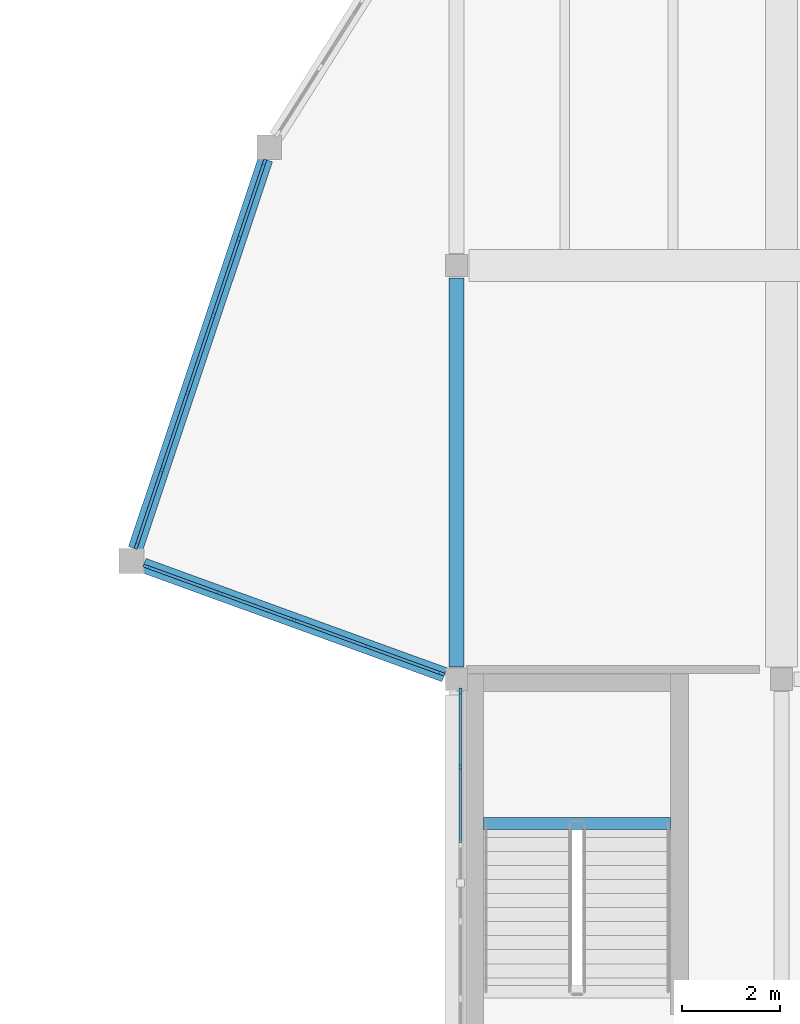
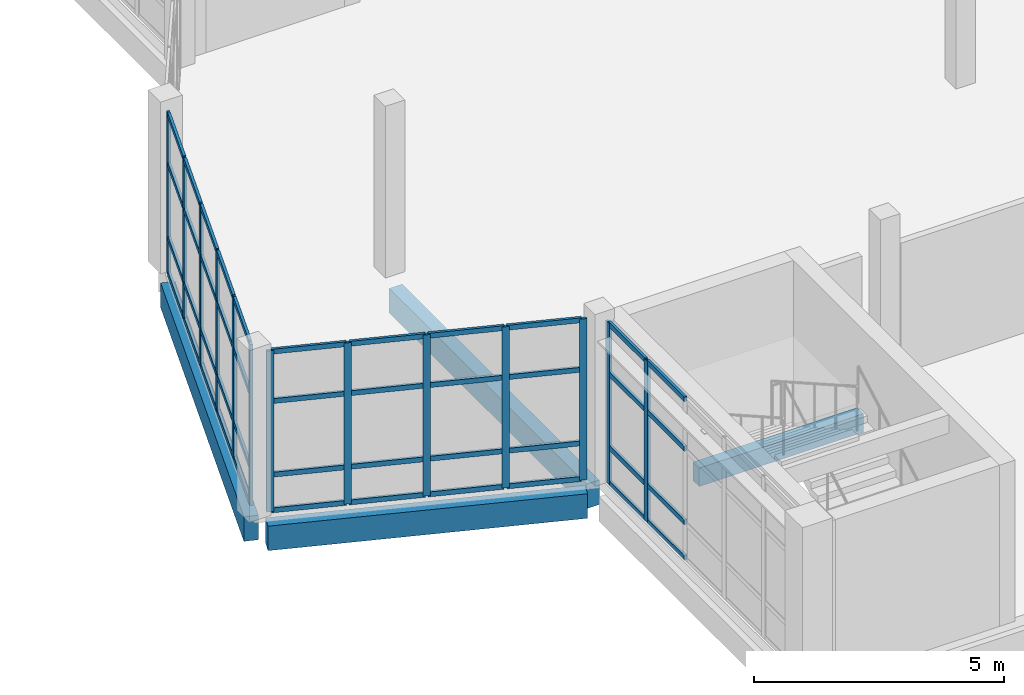
# One storey, part 24 of 74: 57 members, 4 beams, 3 elements without a shape of their own.
"""IFC4 building model written with IfcOpenShell, lengths in metres."""

from ifc_helpers import new_model, si_unit, direction, frame, origin, origin_2d, place, context, subcontext, project, spatial, rectangle, extrude, material, material_profile, profile_set, type_object, element, aggregate, save


model = new_model("IFC4")

# Units and contexts
model_context = context("Model", 3, precision=1e-05, world=origin(), true_north=direction((0.0, 1.0)))
body_context = subcontext(model_context, "Body", "Model", "MODEL_VIEW")
ifc_project = project(units=[si_unit("LENGTHUNIT", "METRE"), si_unit("AREAUNIT", "SQUARE_METRE"), si_unit("VOLUMEUNIT", "CUBIC_METRE"), si_unit("PLANEANGLEUNIT", "RADIAN"), si_unit("MASSUNIT", "GRAM", prefix="KILO")], contexts=[model_context])

# Site, building, storey
site_placement = place(None, origin())
site = spatial("IfcSite", under=ifc_project, at=site_placement, CompositionType="ELEMENT")
building_placement = place(site_placement, origin())
building = spatial("IfcBuilding", under=site, at=building_placement, Name="Qaldarim Faculty of Natural and Applied Sciences", CompositionType="ELEMENT")
storey_placement = place(building_placement, frame((0.0, 0.0, 14.39990234375)))
storey = spatial("IfcBuildingStorey", under=building, at=storey_placement, Name="L03", CompositionType="ELEMENT", Elevation=14.39990234375)

# Beam
ifc_material_1 = material(Name="Concrete C40/50", Category="concrete")
ifc_material_profile_1 = material_profile(ifc_material_1, rectangle(XDim=0.25, YDim=0.449951171875, at=origin_2d()), Name="RC-LN250x450")
ifc_profile_set_1 = profile_set([ifc_material_profile_1], Name="Concrete C40/50")
beam_type_1 = type_object("IfcBeamType", Name="LandingSupportBeam-RC250x450", PredefinedType="BEAM", material=ifc_profile_set_1)
beam_1_placement = place(storey_placement, frame((152.35009765625, 64.27001953125, 1.6650390625), z_axis=(1.0, 0.0, 0.0), x_axis=(0.0, 1.0, 0.0)))
element("IfcBeam", 1, at=beam_1_placement, inside=storey, type_object=beam_type_1, Name="Stair landing support beam ST-C1 L03", PredefinedType="BEAM", context=body_context, shape_type="SweptSolid", body=[
    extrude(rectangle(XDim=0.25, YDim=0.449951171875, at=origin_2d()), origin(), (0.0, 0.0, 1.0), 3.7998046875),
])

# Curtain wall, members
ifc_material_2 = material(Name="Anodised aluminium AW-6063", Category="aluminium")
curtain_wall_type = type_object("IfcCurtainWallType", Name="CurtainWallSystem-M1600", PredefinedType="USERDEFINED", material=ifc_material_2)
curtain_wall_1_placement = place(storey_placement, origin())
curtain_wall_1 = element("IfcCurtainWall", 2, at=curtain_wall_1_placement, inside=storey, type_object=curtain_wall_type, Name="Curtain wall CW-L03-W-X24Y08", ObjectType="UNITISED FACADE", PredefinedType="USERDEFINED")
ifc_material_profile_2 = material_profile(ifc_material_2, rectangle(XDim=0.06005859375, YDim=0.14990234375, at=origin_2d()), Name="ALU-M60x150")
ifc_profile_set_2 = profile_set([ifc_material_profile_2], Name="Anodised aluminium AW-6063")
member_type_1 = type_object("IfcMemberType", Name="Mullion-ALU60x150", PredefinedType="MULLION", material=ifc_profile_set_2)
member_1_placement = place(storey_placement, frame((151.8798828125, 66.949951171875, 0.0), z_axis=(0.0, 0.0, 1.0), x_axis=(1.0, 0.0, 0.0)))
member_1 = element("IfcMember", 3, at=member_1_placement, type_object=member_type_1, Name="Mullion 1 of CW-L03-W-X24Y08", PredefinedType="MULLION", context=body_context, shape_type="SweptSolid", body=[
    extrude(rectangle(XDim=0.06005859375, YDim=0.14990234375, at=origin_2d()), origin(), (0.0, 0.0, 1.0), 3.940185546875),
])
member_2_placement = place(storey_placement, frame((151.8798828125, 65.4130859375, 0.0), z_axis=(0.0, 0.0, 1.0), x_axis=(1.0, 0.0, 0.0)))
member_2 = element("IfcMember", 4, at=member_2_placement, type_object=member_type_1, Name="Mullion 2 of CW-L03-W-X24Y08", PredefinedType="MULLION", context=body_context, shape_type="SweptSolid", body=[
    extrude(rectangle(XDim=0.06005859375, YDim=0.14990234375, at=origin_2d()), origin(), (0.0, 0.0, 1.0), 3.940185546875),
])

curtain_wall_2_placement = place(storey_placement, origin())
curtain_wall_2 = element("IfcCurtainWall", 5, at=curtain_wall_2_placement, inside=storey, type_object=curtain_wall_type, Name="Curtain wall CW-PROW-L03-2", ObjectType="UNITISED FACADE", PredefinedType="USERDEFINED")
member_3_placement = place(storey_placement, frame((147.8955078125, 77.6865234375, 0.0), z_axis=(0.0, 0.0, 1.0), x_axis=(0.948683015593, -0.316228613389, 0.0)))
member_3 = element("IfcMember", 6, at=member_3_placement, type_object=member_type_1, Name="Mullion 1 of CW-PROW-L03-2", PredefinedType="MULLION", context=body_context, shape_type="SweptSolid", body=[
    extrude(rectangle(XDim=0.06005859375, YDim=0.14990234375, at=origin_2d()), origin(), (0.0, 0.0, 1.0), 3.940185546875),
])
member_4_placement = place(storey_placement, frame((147.383056640625, 76.14892578125, 0.0), z_axis=(0.0, 0.0, 1.0), x_axis=(0.948683015593, -0.316228613389, 0.0)))
member_4 = element("IfcMember", 7, at=member_4_placement, type_object=member_type_1, Name="Mullion 2 of CW-PROW-L03-2", PredefinedType="MULLION", context=body_context, shape_type="SweptSolid", body=[
    extrude(rectangle(XDim=0.06005859375, YDim=0.14990234375, at=origin_2d()), origin(), (0.0, 0.0, 1.0), 3.940185546875),
])
member_5_placement = place(storey_placement, frame((146.861083984375, 74.5830078125, 0.0), z_axis=(0.0, 0.0, 1.0), x_axis=(0.948683015593, -0.316228613389, 0.0)))
member_5 = element("IfcMember", 8, at=member_5_placement, type_object=member_type_1, Name="Mullion 3 of CW-PROW-L03-2", PredefinedType="MULLION", context=body_context, shape_type="SweptSolid", body=[
    extrude(rectangle(XDim=0.06005859375, YDim=0.14990234375, at=origin_2d()), origin(), (0.0, 0.0, 1.0), 3.940185546875),
])
member_6_placement = place(storey_placement, frame((146.339111328125, 73.01708984375, 0.0), z_axis=(0.0, 0.0, 1.0), x_axis=(0.948683015593, -0.316228613389, 0.0)))
member_6 = element("IfcMember", 9, at=member_6_placement, type_object=member_type_1, Name="Mullion 4 of CW-PROW-L03-2", PredefinedType="MULLION", context=body_context, shape_type="SweptSolid", body=[
    extrude(rectangle(XDim=0.06005859375, YDim=0.14990234375, at=origin_2d()), origin(), (0.0, 0.0, 1.0), 3.940185546875),
])
member_7_placement = place(storey_placement, frame((145.81689453125, 71.450927734375, 0.0), z_axis=(0.0, 0.0, 1.0), x_axis=(0.948683015593, -0.316228613389, 0.0)))
member_7 = element("IfcMember", 10, at=member_7_placement, type_object=member_type_1, Name="Mullion 5 of CW-PROW-L03-2", PredefinedType="MULLION", context=body_context, shape_type="SweptSolid", body=[
    extrude(rectangle(XDim=0.06005859375, YDim=0.14990234375, at=origin_2d()), origin(), (0.0, 0.0, 1.0), 3.940185546875),
])
member_8_placement = place(storey_placement, frame((145.304443359375, 69.91357421875, 0.0), z_axis=(0.0, 0.0, 1.0), x_axis=(0.948683015593, -0.316228613389, 0.0)))
member_8 = element("IfcMember", 11, at=member_8_placement, type_object=member_type_1, Name="Mullion 6 of CW-PROW-L03-2", PredefinedType="MULLION", context=body_context, shape_type="SweptSolid", body=[
    extrude(rectangle(XDim=0.06005859375, YDim=0.14990234375, at=origin_2d()), origin(), (0.0, 0.0, 1.0), 3.940185546875),
])

curtain_wall_3_placement = place(storey_placement, origin())
curtain_wall_3 = element("IfcCurtainWall", 12, at=curtain_wall_3_placement, inside=storey, type_object=curtain_wall_type, Name="Curtain wall CW-PROW-L03-3", ObjectType="UNITISED FACADE", PredefinedType="USERDEFINED")
member_9_placement = place(storey_placement, frame((145.50830078125, 69.48486328125, 0.0), z_axis=(0.0, 0.0, 1.0), x_axis=(0.340871837244, 0.94010977581, 0.0)))
member_9 = element("IfcMember", 13, at=member_9_placement, type_object=member_type_1, Name="Mullion 1 of CW-PROW-L03-3", PredefinedType="MULLION", context=body_context, shape_type="SweptSolid", body=[
    extrude(rectangle(XDim=0.06005859375, YDim=0.14990234375, at=origin_2d()), origin(), (0.0, 0.0, 1.0), 3.940185546875),
])
member_10_placement = place(storey_placement, frame((146.989990234375, 68.947509765625, 0.0), z_axis=(0.0, 0.0, 1.0), x_axis=(0.340871837244, 0.94010977581, 0.0)))
member_10 = element("IfcMember", 14, at=member_10_placement, type_object=member_type_1, Name="Mullion 2 of CW-PROW-L03-3", PredefinedType="MULLION", context=body_context, shape_type="SweptSolid", body=[
    extrude(rectangle(XDim=0.06005859375, YDim=0.14990234375, at=origin_2d()), origin(), (0.0, 0.0, 1.0), 3.940185546875),
])
member_11_placement = place(storey_placement, frame((148.5, 68.39990234375, 0.0), z_axis=(0.0, 0.0, 1.0), x_axis=(0.340871837244, 0.94010977581, 0.0)))
member_11 = element("IfcMember", 15, at=member_11_placement, type_object=member_type_1, Name="Mullion 3 of CW-PROW-L03-3", PredefinedType="MULLION", context=body_context, shape_type="SweptSolid", body=[
    extrude(rectangle(XDim=0.06005859375, YDim=0.14990234375, at=origin_2d()), origin(), (0.0, 0.0, 1.0), 3.940185546875),
])
member_12_placement = place(storey_placement, frame((150.010009765625, 67.8525390625, 0.0), z_axis=(0.0, 0.0, 1.0), x_axis=(0.340871837244, 0.94010977581, 0.0)))
member_12 = element("IfcMember", 16, at=member_12_placement, type_object=member_type_1, Name="Mullion 4 of CW-PROW-L03-3", PredefinedType="MULLION", context=body_context, shape_type="SweptSolid", body=[
    extrude(rectangle(XDim=0.06005859375, YDim=0.14990234375, at=origin_2d()), origin(), (0.0, 0.0, 1.0), 3.940185546875),
])
member_13_placement = place(storey_placement, frame((151.49169921875, 67.315185546875, 0.0), z_axis=(0.0, 0.0, 1.0), x_axis=(0.340871837244, 0.94010977581, 0.0)))
member_13 = element("IfcMember", 17, at=member_13_placement, type_object=member_type_1, Name="Mullion 5 of CW-PROW-L03-3", PredefinedType="MULLION", context=body_context, shape_type="SweptSolid", body=[
    extrude(rectangle(XDim=0.06005859375, YDim=0.14990234375, at=origin_2d()), origin(), (0.0, 0.0, 1.0), 3.940185546875),
])

# Beams
ifc_material_3 = material(Name="Precast concrete C40/50", Category="concrete")
ifc_material_profile_3 = material_profile(ifc_material_3, rectangle(XDim=0.300048828125, YDim=0.60009765625, at=origin_2d()), Name="RC-SP300x600")
ifc_profile_set_3 = profile_set([ifc_material_profile_3], Name="Precast concrete C40/50")
beam_type_2 = type_object("IfcBeamType", Name="SpandrelBeam-RC300x600", PredefinedType="SPANDREL", material=ifc_profile_set_3)
beam_2_placement = place(storey_placement, frame((151.800048828125, 67.449951171875, -0.559814453125), z_axis=(0.0, 1.0, 0.0), x_axis=(-1.0, 0.0, 0.0)))
element("IfcBeam", 18, at=beam_2_placement, inside=storey, type_object=beam_type_2, Name="Beam RC-SP300x600 L02 X24/Y09-Y10", PredefinedType="SPANDREL", context=body_context, shape_type="SweptSolid", body=[
    extrude(rectangle(XDim=0.300048828125, YDim=0.60009765625, at=origin_2d()), origin(), (0.0, 0.0, 1.0), 7.900146484375),
])
beam_3_placement = place(storey_placement, frame((151.554931640625, 67.2900390625, -0.559814453125), z_axis=(-0.939882210861, 0.341498798983, 0.0), x_axis=(-0.341498798983, -0.939882210861, 0.0)))
element("IfcBeam", 19, at=beam_3_placement, inside=storey, type_object=beam_type_2, Name="Learning Commons angled prow spandrel L02 1", PredefinedType="SPANDREL", context=body_context, shape_type="SweptSolid", body=[
    extrude(rectangle(XDim=0.300048828125, YDim=0.60009765625, at=origin_2d()), origin(), (0.0, 0.0, 1.0), 6.500732421875),
])
beam_4_placement = place(storey_placement, frame((145.280029296875, 69.844970703125, -0.559814453125), z_axis=(0.316579075961, 0.948566122452, 0.0), x_axis=(-0.948566122452, 0.316579075961, 0.0)))
element("IfcBeam", 20, at=beam_4_placement, inside=storey, type_object=beam_type_2, Name="Learning Commons angled prow spandrel L02 2", PredefinedType="SPANDREL", context=body_context, shape_type="SweptSolid", body=[
    extrude(rectangle(XDim=0.300048828125, YDim=0.60009765625, at=origin_2d()), origin(), (0.0, 0.0, 1.0), 8.3388671875),
])

# Member
ifc_material_profile_4 = material_profile(ifc_material_2, rectangle(XDim=0.06005859375, YDim=0.1201171875, at=origin_2d()), Name="ALU-T60x120")
ifc_profile_set_4 = profile_set([ifc_material_profile_4], Name="Anodised aluminium AW-6063")
member_type_2 = type_object("IfcMemberType", Name="Transom-ALU60x120", PredefinedType="USERDEFINED", material=ifc_profile_set_4)
member_14_placement = place(storey_placement, frame((151.8798828125, 66.919921875, 0.030029296875), z_axis=(0.0, -1.0, 0.0), x_axis=(1.0, 0.0, 0.0)))
member_14 = element("IfcMember", 21, at=member_14_placement, type_object=member_type_2, Name="Transom 1-1 of CW-L03-W-X24Y08", ObjectType="TRANSOM", PredefinedType="USERDEFINED", context=body_context, shape_type="SweptSolid", body=[
    extrude(rectangle(XDim=0.06005859375, YDim=0.1201171875, at=origin_2d()), origin(), (0.0, 0.0, 1.0), 1.476806640625),
])

member_15_placement = place(storey_placement, frame((151.8798828125, 66.919921875, 0.900146484375), z_axis=(0.0, -1.0, 0.0), x_axis=(1.0, 0.0, 0.0)))
member_15 = element("IfcMember", 22, at=member_15_placement, type_object=member_type_2, Name="Transom 1-2 of CW-L03-W-X24Y08", ObjectType="TRANSOM", PredefinedType="USERDEFINED", context=body_context, shape_type="SweptSolid", body=[
    extrude(rectangle(XDim=0.06005859375, YDim=0.1201171875, at=origin_2d()), origin(), (0.0, 0.0, 1.0), 1.476806640625),
])

member_16_placement = place(storey_placement, frame((151.8798828125, 66.919921875, 2.7001953125), z_axis=(0.0, -1.0, 0.0), x_axis=(1.0, 0.0, 0.0)))
member_16 = element("IfcMember", 23, at=member_16_placement, type_object=member_type_2, Name="Transom 1-3 of CW-L03-W-X24Y08", ObjectType="TRANSOM", PredefinedType="USERDEFINED", context=body_context, shape_type="SweptSolid", body=[
    extrude(rectangle(XDim=0.06005859375, YDim=0.1201171875, at=origin_2d()), origin(), (0.0, 0.0, 1.0), 1.476806640625),
])

member_17_placement = place(storey_placement, frame((151.8798828125, 66.919921875, 3.91015625), z_axis=(0.0, -1.0, 0.0), x_axis=(1.0, 0.0, 0.0)))
member_17 = element("IfcMember", 24, at=member_17_placement, type_object=member_type_2, Name="Transom 1-4 of CW-L03-W-X24Y08", ObjectType="TRANSOM", PredefinedType="USERDEFINED", context=body_context, shape_type="SweptSolid", body=[
    extrude(rectangle(XDim=0.06005859375, YDim=0.1201171875, at=origin_2d()), origin(), (0.0, 0.0, 1.0), 1.476806640625),
])

member_18_placement = place(storey_placement, frame((151.8798828125, 65.383056640625, 0.030029296875), z_axis=(0.0, -1.0, 0.0), x_axis=(1.0, 0.0, 0.0)))
member_18 = element("IfcMember", 25, at=member_18_placement, type_object=member_type_2, Name="Transom 2-1 of CW-L03-W-X24Y08", ObjectType="TRANSOM", PredefinedType="USERDEFINED", context=body_context, shape_type="SweptSolid", body=[
    extrude(rectangle(XDim=0.06005859375, YDim=0.1201171875, at=origin_2d()), origin(), (0.0, 0.0, 1.0), 1.507080078125),
])

member_19_placement = place(storey_placement, frame((151.8798828125, 65.383056640625, 0.900146484375), z_axis=(0.0, -1.0, 0.0), x_axis=(1.0, 0.0, 0.0)))
member_19 = element("IfcMember", 26, at=member_19_placement, type_object=member_type_2, Name="Transom 2-2 of CW-L03-W-X24Y08", ObjectType="TRANSOM", PredefinedType="USERDEFINED", context=body_context, shape_type="SweptSolid", body=[
    extrude(rectangle(XDim=0.06005859375, YDim=0.1201171875, at=origin_2d()), origin(), (0.0, 0.0, 1.0), 1.507080078125),
])

member_20_placement = place(storey_placement, frame((151.8798828125, 65.383056640625, 2.7001953125), z_axis=(0.0, -1.0, 0.0), x_axis=(1.0, 0.0, 0.0)))
member_20 = element("IfcMember", 27, at=member_20_placement, type_object=member_type_2, Name="Transom 2-3 of CW-L03-W-X24Y08", ObjectType="TRANSOM", PredefinedType="USERDEFINED", context=body_context, shape_type="SweptSolid", body=[
    extrude(rectangle(XDim=0.06005859375, YDim=0.1201171875, at=origin_2d()), origin(), (0.0, 0.0, 1.0), 1.507080078125),
])

member_21_placement = place(storey_placement, frame((151.8798828125, 65.383056640625, 3.91015625), z_axis=(0.0, -1.0, 0.0), x_axis=(1.0, 0.0, 0.0)))
member_21 = element("IfcMember", 28, at=member_21_placement, type_object=member_type_2, Name="Transom 2-4 of CW-L03-W-X24Y08", ObjectType="TRANSOM", PredefinedType="USERDEFINED", context=body_context, shape_type="SweptSolid", body=[
    extrude(rectangle(XDim=0.06005859375, YDim=0.1201171875, at=origin_2d()), origin(), (0.0, 0.0, 1.0), 1.507080078125),
])

aggregate(curtain_wall_1, [member_1, member_2, member_14, member_15, member_16, member_17, member_18, member_19, member_20, member_21])

member_22_placement = place(storey_placement, frame((147.885986328125, 77.658203125, 0.030029296875), z_axis=(-0.316133909771, -0.948714578307, 0.0), x_axis=(0.948714578307, -0.316133909771, 0.0)))
member_22 = element("IfcMember", 29, at=member_22_placement, type_object=member_type_2, Name="Transom 1-1 of CW-PROW-L03-2", ObjectType="TRANSOM", PredefinedType="USERDEFINED", context=body_context, shape_type="SweptSolid", body=[
    extrude(rectangle(XDim=0.06005859375, YDim=0.1201171875, at=origin_2d()), origin(), (0.0, 0.0, 1.0), 1.560791015625),
])

member_23_placement = place(storey_placement, frame((147.885986328125, 77.658203125, 0.900146484375), z_axis=(-0.316133909771, -0.948714578307, 0.0), x_axis=(0.948714578307, -0.316133909771, 0.0)))
member_23 = element("IfcMember", 30, at=member_23_placement, type_object=member_type_2, Name="Transom 1-2 of CW-PROW-L03-2", ObjectType="TRANSOM", PredefinedType="USERDEFINED", context=body_context, shape_type="SweptSolid", body=[
    extrude(rectangle(XDim=0.06005859375, YDim=0.1201171875, at=origin_2d()), origin(), (0.0, 0.0, 1.0), 1.560791015625),
])

member_24_placement = place(storey_placement, frame((147.885986328125, 77.658203125, 2.7001953125), z_axis=(-0.316133909771, -0.948714578307, 0.0), x_axis=(0.948714578307, -0.316133909771, 0.0)))
member_24 = element("IfcMember", 31, at=member_24_placement, type_object=member_type_2, Name="Transom 1-3 of CW-PROW-L03-2", ObjectType="TRANSOM", PredefinedType="USERDEFINED", context=body_context, shape_type="SweptSolid", body=[
    extrude(rectangle(XDim=0.06005859375, YDim=0.1201171875, at=origin_2d()), origin(), (0.0, 0.0, 1.0), 1.560791015625),
])

member_25_placement = place(storey_placement, frame((147.885986328125, 77.658203125, 3.91015625), z_axis=(-0.316133909771, -0.948714578307, 0.0), x_axis=(0.948714578307, -0.316133909771, 0.0)))
member_25 = element("IfcMember", 32, at=member_25_placement, type_object=member_type_2, Name="Transom 1-4 of CW-PROW-L03-2", ObjectType="TRANSOM", PredefinedType="USERDEFINED", context=body_context, shape_type="SweptSolid", body=[
    extrude(rectangle(XDim=0.06005859375, YDim=0.1201171875, at=origin_2d()), origin(), (0.0, 0.0, 1.0), 1.560791015625),
])

member_26_placement = place(storey_placement, frame((147.37353515625, 76.12060546875, 0.030029296875), z_axis=(-0.316181719763, -0.94869864556, 0.0), x_axis=(0.94869864556, -0.316181719763, 0.0)))
member_26 = element("IfcMember", 33, at=member_26_placement, type_object=member_type_2, Name="Transom 2-1 of CW-PROW-L03-2", ObjectType="TRANSOM", PredefinedType="USERDEFINED", context=body_context, shape_type="SweptSolid", body=[
    extrude(rectangle(XDim=0.06005859375, YDim=0.1201171875, at=origin_2d()), origin(), (0.0, 0.0, 1.0), 1.590576171875),
])

member_27_placement = place(storey_placement, frame((147.37353515625, 76.12060546875, 0.900146484375), z_axis=(-0.316181719763, -0.94869864556, 0.0), x_axis=(0.94869864556, -0.316181719763, 0.0)))
member_27 = element("IfcMember", 34, at=member_27_placement, type_object=member_type_2, Name="Transom 2-2 of CW-PROW-L03-2", ObjectType="TRANSOM", PredefinedType="USERDEFINED", context=body_context, shape_type="SweptSolid", body=[
    extrude(rectangle(XDim=0.06005859375, YDim=0.1201171875, at=origin_2d()), origin(), (0.0, 0.0, 1.0), 1.590576171875),
])

member_28_placement = place(storey_placement, frame((147.37353515625, 76.12060546875, 2.7001953125), z_axis=(-0.316181719763, -0.94869864556, 0.0), x_axis=(0.94869864556, -0.316181719763, 0.0)))
member_28 = element("IfcMember", 35, at=member_28_placement, type_object=member_type_2, Name="Transom 2-3 of CW-PROW-L03-2", ObjectType="TRANSOM", PredefinedType="USERDEFINED", context=body_context, shape_type="SweptSolid", body=[
    extrude(rectangle(XDim=0.06005859375, YDim=0.1201171875, at=origin_2d()), origin(), (0.0, 0.0, 1.0), 1.590576171875),
])

member_29_placement = place(storey_placement, frame((147.37353515625, 76.12060546875, 3.91015625), z_axis=(-0.316181719763, -0.94869864556, 0.0), x_axis=(0.94869864556, -0.316181719763, 0.0)))
member_29 = element("IfcMember", 36, at=member_29_placement, type_object=member_type_2, Name="Transom 2-4 of CW-PROW-L03-2", ObjectType="TRANSOM", PredefinedType="USERDEFINED", context=body_context, shape_type="SweptSolid", body=[
    extrude(rectangle(XDim=0.06005859375, YDim=0.1201171875, at=origin_2d()), origin(), (0.0, 0.0, 1.0), 1.590576171875),
])

member_30_placement = place(storey_placement, frame((146.8515625, 74.554443359375, 0.030029296875), z_axis=(-0.31631985182, -0.948652597817, 0.0), x_axis=(0.948652597817, -0.31631985182, 0.0)))
member_30 = element("IfcMember", 37, at=member_30_placement, type_object=member_type_2, Name="Transom 3-1 of CW-PROW-L03-2", ObjectType="TRANSOM", PredefinedType="USERDEFINED", context=body_context, shape_type="SweptSolid", body=[
    extrude(rectangle(XDim=0.06005859375, YDim=0.1201171875, at=origin_2d()), origin(), (0.0, 0.0, 1.0), 1.5908203125),
])

member_31_placement = place(storey_placement, frame((146.8515625, 74.554443359375, 0.900146484375), z_axis=(-0.31631985182, -0.948652597817, 0.0), x_axis=(0.948652597817, -0.31631985182, 0.0)))
member_31 = element("IfcMember", 38, at=member_31_placement, type_object=member_type_2, Name="Transom 3-2 of CW-PROW-L03-2", ObjectType="TRANSOM", PredefinedType="USERDEFINED", context=body_context, shape_type="SweptSolid", body=[
    extrude(rectangle(XDim=0.06005859375, YDim=0.1201171875, at=origin_2d()), origin(), (0.0, 0.0, 1.0), 1.5908203125),
])

member_32_placement = place(storey_placement, frame((146.8515625, 74.554443359375, 2.7001953125), z_axis=(-0.31631985182, -0.948652597817, 0.0), x_axis=(0.948652597817, -0.31631985182, 0.0)))
member_32 = element("IfcMember", 39, at=member_32_placement, type_object=member_type_2, Name="Transom 3-3 of CW-PROW-L03-2", ObjectType="TRANSOM", PredefinedType="USERDEFINED", context=body_context, shape_type="SweptSolid", body=[
    extrude(rectangle(XDim=0.06005859375, YDim=0.1201171875, at=origin_2d()), origin(), (0.0, 0.0, 1.0), 1.5908203125),
])

member_33_placement = place(storey_placement, frame((146.8515625, 74.554443359375, 3.91015625), z_axis=(-0.31631985182, -0.948652597817, 0.0), x_axis=(0.948652597817, -0.31631985182, 0.0)))
member_33 = element("IfcMember", 40, at=member_33_placement, type_object=member_type_2, Name="Transom 3-4 of CW-PROW-L03-2", ObjectType="TRANSOM", PredefinedType="USERDEFINED", context=body_context, shape_type="SweptSolid", body=[
    extrude(rectangle(XDim=0.06005859375, YDim=0.1201171875, at=origin_2d()), origin(), (0.0, 0.0, 1.0), 1.5908203125),
])

member_34_placement = place(storey_placement, frame((146.32958984375, 72.988525390625, 0.030029296875), z_axis=(-0.31631985182, -0.948652597817, 0.0), x_axis=(0.948652597817, -0.31631985182, 0.0)))
member_34 = element("IfcMember", 41, at=member_34_placement, type_object=member_type_2, Name="Transom 4-1 of CW-PROW-L03-2", ObjectType="TRANSOM", PredefinedType="USERDEFINED", context=body_context, shape_type="SweptSolid", body=[
    extrude(rectangle(XDim=0.06005859375, YDim=0.1201171875, at=origin_2d()), origin(), (0.0, 0.0, 1.0), 1.5908203125),
])

member_35_placement = place(storey_placement, frame((146.32958984375, 72.988525390625, 0.900146484375), z_axis=(-0.31631985182, -0.948652597817, 0.0), x_axis=(0.948652597817, -0.31631985182, 0.0)))
member_35 = element("IfcMember", 42, at=member_35_placement, type_object=member_type_2, Name="Transom 4-2 of CW-PROW-L03-2", ObjectType="TRANSOM", PredefinedType="USERDEFINED", context=body_context, shape_type="SweptSolid", body=[
    extrude(rectangle(XDim=0.06005859375, YDim=0.1201171875, at=origin_2d()), origin(), (0.0, 0.0, 1.0), 1.5908203125),
])

member_36_placement = place(storey_placement, frame((146.32958984375, 72.988525390625, 2.7001953125), z_axis=(-0.31631985182, -0.948652597817, 0.0), x_axis=(0.948652597817, -0.31631985182, 0.0)))
member_36 = element("IfcMember", 43, at=member_36_placement, type_object=member_type_2, Name="Transom 4-3 of CW-PROW-L03-2", ObjectType="TRANSOM", PredefinedType="USERDEFINED", context=body_context, shape_type="SweptSolid", body=[
    extrude(rectangle(XDim=0.06005859375, YDim=0.1201171875, at=origin_2d()), origin(), (0.0, 0.0, 1.0), 1.5908203125),
])

member_37_placement = place(storey_placement, frame((146.32958984375, 72.988525390625, 3.91015625), z_axis=(-0.31631985182, -0.948652597817, 0.0), x_axis=(0.948652597817, -0.31631985182, 0.0)))
member_37 = element("IfcMember", 44, at=member_37_placement, type_object=member_type_2, Name="Transom 4-4 of CW-PROW-L03-2", ObjectType="TRANSOM", PredefinedType="USERDEFINED", context=body_context, shape_type="SweptSolid", body=[
    extrude(rectangle(XDim=0.06005859375, YDim=0.1201171875, at=origin_2d()), origin(), (0.0, 0.0, 1.0), 1.5908203125),
])

member_38_placement = place(storey_placement, frame((145.8076171875, 71.422607421875, 0.030029296875), z_axis=(-0.316274690658, -0.948667655214, 0.0), x_axis=(0.948667655214, -0.316274690658, 0.0)))
member_38 = element("IfcMember", 45, at=member_38_placement, type_object=member_type_2, Name="Transom 5-1 of CW-PROW-L03-2", ObjectType="TRANSOM", PredefinedType="USERDEFINED", context=body_context, shape_type="SweptSolid", body=[
    extrude(rectangle(XDim=0.06005859375, YDim=0.1201171875, at=origin_2d()), origin(), (0.0, 0.0, 1.0), 1.560791015625),
])

member_39_placement = place(storey_placement, frame((145.8076171875, 71.422607421875, 0.900146484375), z_axis=(-0.316274690658, -0.948667655214, 0.0), x_axis=(0.948667655214, -0.316274690658, 0.0)))
member_39 = element("IfcMember", 46, at=member_39_placement, type_object=member_type_2, Name="Transom 5-2 of CW-PROW-L03-2", ObjectType="TRANSOM", PredefinedType="USERDEFINED", context=body_context, shape_type="SweptSolid", body=[
    extrude(rectangle(XDim=0.06005859375, YDim=0.1201171875, at=origin_2d()), origin(), (0.0, 0.0, 1.0), 1.560791015625),
])

member_40_placement = place(storey_placement, frame((145.8076171875, 71.422607421875, 2.7001953125), z_axis=(-0.316274690658, -0.948667655214, 0.0), x_axis=(0.948667655214, -0.316274690658, 0.0)))
member_40 = element("IfcMember", 47, at=member_40_placement, type_object=member_type_2, Name="Transom 5-3 of CW-PROW-L03-2", ObjectType="TRANSOM", PredefinedType="USERDEFINED", context=body_context, shape_type="SweptSolid", body=[
    extrude(rectangle(XDim=0.06005859375, YDim=0.1201171875, at=origin_2d()), origin(), (0.0, 0.0, 1.0), 1.560791015625),
])

member_41_placement = place(storey_placement, frame((145.8076171875, 71.422607421875, 3.91015625), z_axis=(-0.316274690658, -0.948667655214, 0.0), x_axis=(0.948667655214, -0.316274690658, 0.0)))
member_41 = element("IfcMember", 48, at=member_41_placement, type_object=member_type_2, Name="Transom 5-4 of CW-PROW-L03-2", ObjectType="TRANSOM", PredefinedType="USERDEFINED", context=body_context, shape_type="SweptSolid", body=[
    extrude(rectangle(XDim=0.06005859375, YDim=0.1201171875, at=origin_2d()), origin(), (0.0, 0.0, 1.0), 1.560791015625),
])

aggregate(curtain_wall_2, [member_3, member_4, member_5, member_6, member_7, member_8, member_22, member_23, member_24, member_25, member_26, member_27, member_28, member_29, member_30, member_31, member_32, member_33, member_34, member_35, member_36, member_37, member_38, member_39, member_40, member_41])

member_42_placement = place(storey_placement, frame((145.536376953125, 69.474609375, 0.030029296875), z_axis=(0.940117363771, -0.340850909249, 0.0), x_axis=(0.340850909249, 0.940117363771, 0.0)))
member_42 = element("IfcMember", 49, at=member_42_placement, type_object=member_type_2, Name="Transom 1-1 of CW-PROW-L03-3", ObjectType="TRANSOM", PredefinedType="USERDEFINED", context=body_context, shape_type="SweptSolid", body=[
    extrude(rectangle(XDim=0.06005859375, YDim=0.1201171875, at=origin_2d()), origin(), (0.0, 0.0, 1.0), 1.516357421875),
])

member_43_placement = place(storey_placement, frame((145.536376953125, 69.474609375, 0.900146484375), z_axis=(0.940117363771, -0.340850909249, 0.0), x_axis=(0.340850909249, 0.940117363771, 0.0)))
member_43 = element("IfcMember", 50, at=member_43_placement, type_object=member_type_2, Name="Transom 1-2 of CW-PROW-L03-3", ObjectType="TRANSOM", PredefinedType="USERDEFINED", context=body_context, shape_type="SweptSolid", body=[
    extrude(rectangle(XDim=0.06005859375, YDim=0.1201171875, at=origin_2d()), origin(), (0.0, 0.0, 1.0), 1.516357421875),
])

member_44_placement = place(storey_placement, frame((145.536376953125, 69.474609375, 2.7001953125), z_axis=(0.940117363771, -0.340850909249, 0.0), x_axis=(0.340850909249, 0.940117363771, 0.0)))
member_44 = element("IfcMember", 51, at=member_44_placement, type_object=member_type_2, Name="Transom 1-3 of CW-PROW-L03-3", ObjectType="TRANSOM", PredefinedType="USERDEFINED", context=body_context, shape_type="SweptSolid", body=[
    extrude(rectangle(XDim=0.06005859375, YDim=0.1201171875, at=origin_2d()), origin(), (0.0, 0.0, 1.0), 1.516357421875),
])

member_45_placement = place(storey_placement, frame((145.536376953125, 69.474609375, 3.91015625), z_axis=(0.940117363771, -0.340850909249, 0.0), x_axis=(0.340850909249, 0.940117363771, 0.0)))
member_45 = element("IfcMember", 52, at=member_45_placement, type_object=member_type_2, Name="Transom 1-4 of CW-PROW-L03-3", ObjectType="TRANSOM", PredefinedType="USERDEFINED", context=body_context, shape_type="SweptSolid", body=[
    extrude(rectangle(XDim=0.06005859375, YDim=0.1201171875, at=origin_2d()), origin(), (0.0, 0.0, 1.0), 1.516357421875),
])

member_46_placement = place(storey_placement, frame((147.018310546875, 68.937255859375, 0.030029296875), z_axis=(0.940083560197, -0.340944130097, 0.0), x_axis=(0.340944130097, 0.940083560197, 0.0)))
member_46 = element("IfcMember", 53, at=member_46_placement, type_object=member_type_2, Name="Transom 2-1 of CW-PROW-L03-3", ObjectType="TRANSOM", PredefinedType="USERDEFINED", context=body_context, shape_type="SweptSolid", body=[
    extrude(rectangle(XDim=0.06005859375, YDim=0.1201171875, at=origin_2d()), origin(), (0.0, 0.0, 1.0), 1.5458984375),
])

member_47_placement = place(storey_placement, frame((147.018310546875, 68.937255859375, 0.900146484375), z_axis=(0.940083560197, -0.340944130097, 0.0), x_axis=(0.340944130097, 0.940083560197, 0.0)))
member_47 = element("IfcMember", 54, at=member_47_placement, type_object=member_type_2, Name="Transom 2-2 of CW-PROW-L03-3", ObjectType="TRANSOM", PredefinedType="USERDEFINED", context=body_context, shape_type="SweptSolid", body=[
    extrude(rectangle(XDim=0.06005859375, YDim=0.1201171875, at=origin_2d()), origin(), (0.0, 0.0, 1.0), 1.5458984375),
])

member_48_placement = place(storey_placement, frame((147.018310546875, 68.937255859375, 2.7001953125), z_axis=(0.940083560197, -0.340944130097, 0.0), x_axis=(0.340944130097, 0.940083560197, 0.0)))
member_48 = element("IfcMember", 55, at=member_48_placement, type_object=member_type_2, Name="Transom 2-3 of CW-PROW-L03-3", ObjectType="TRANSOM", PredefinedType="USERDEFINED", context=body_context, shape_type="SweptSolid", body=[
    extrude(rectangle(XDim=0.06005859375, YDim=0.1201171875, at=origin_2d()), origin(), (0.0, 0.0, 1.0), 1.5458984375),
])

member_49_placement = place(storey_placement, frame((147.018310546875, 68.937255859375, 3.91015625), z_axis=(0.940083560197, -0.340944130097, 0.0), x_axis=(0.340944130097, 0.940083560197, 0.0)))
member_49 = element("IfcMember", 56, at=member_49_placement, type_object=member_type_2, Name="Transom 2-4 of CW-PROW-L03-3", ObjectType="TRANSOM", PredefinedType="USERDEFINED", context=body_context, shape_type="SweptSolid", body=[
    extrude(rectangle(XDim=0.06005859375, YDim=0.1201171875, at=origin_2d()), origin(), (0.0, 0.0, 1.0), 1.5458984375),
])

member_50_placement = place(storey_placement, frame((148.5283203125, 68.389892578125, 0.030029296875), z_axis=(0.940083560197, -0.340944130097, 0.0), x_axis=(0.340944130097, 0.940083560197, 0.0)))
member_50 = element("IfcMember", 57, at=member_50_placement, type_object=member_type_2, Name="Transom 3-1 of CW-PROW-L03-3", ObjectType="TRANSOM", PredefinedType="USERDEFINED", context=body_context, shape_type="SweptSolid", body=[
    extrude(rectangle(XDim=0.06005859375, YDim=0.1201171875, at=origin_2d()), origin(), (0.0, 0.0, 1.0), 1.5458984375),
])

member_51_placement = place(storey_placement, frame((148.5283203125, 68.389892578125, 0.900146484375), z_axis=(0.940083560197, -0.340944130097, 0.0), x_axis=(0.340944130097, 0.940083560197, 0.0)))
member_51 = element("IfcMember", 58, at=member_51_placement, type_object=member_type_2, Name="Transom 3-2 of CW-PROW-L03-3", ObjectType="TRANSOM", PredefinedType="USERDEFINED", context=body_context, shape_type="SweptSolid", body=[
    extrude(rectangle(XDim=0.06005859375, YDim=0.1201171875, at=origin_2d()), origin(), (0.0, 0.0, 1.0), 1.5458984375),
])

member_52_placement = place(storey_placement, frame((148.5283203125, 68.389892578125, 2.7001953125), z_axis=(0.940083560197, -0.340944130097, 0.0), x_axis=(0.340944130097, 0.940083560197, 0.0)))
member_52 = element("IfcMember", 59, at=member_52_placement, type_object=member_type_2, Name="Transom 3-3 of CW-PROW-L03-3", ObjectType="TRANSOM", PredefinedType="USERDEFINED", context=body_context, shape_type="SweptSolid", body=[
    extrude(rectangle(XDim=0.06005859375, YDim=0.1201171875, at=origin_2d()), origin(), (0.0, 0.0, 1.0), 1.5458984375),
])

member_53_placement = place(storey_placement, frame((148.5283203125, 68.389892578125, 3.91015625), z_axis=(0.940083560197, -0.340944130097, 0.0), x_axis=(0.340944130097, 0.940083560197, 0.0)))
member_53 = element("IfcMember", 60, at=member_53_placement, type_object=member_type_2, Name="Transom 3-4 of CW-PROW-L03-3", ObjectType="TRANSOM", PredefinedType="USERDEFINED", context=body_context, shape_type="SweptSolid", body=[
    extrude(rectangle(XDim=0.06005859375, YDim=0.1201171875, at=origin_2d()), origin(), (0.0, 0.0, 1.0), 1.5458984375),
])

member_54_placement = place(storey_placement, frame((150.0380859375, 67.84228515625, 0.030029296875), z_axis=(0.940117363771, -0.340850909249, 0.0), x_axis=(0.340850909249, 0.940117363771, 0.0)))
member_54 = element("IfcMember", 61, at=member_54_placement, type_object=member_type_2, Name="Transom 4-1 of CW-PROW-L03-3", ObjectType="TRANSOM", PredefinedType="USERDEFINED", context=body_context, shape_type="SweptSolid", body=[
    extrude(rectangle(XDim=0.06005859375, YDim=0.1201171875, at=origin_2d()), origin(), (0.0, 0.0, 1.0), 1.516357421875),
])

member_55_placement = place(storey_placement, frame((150.0380859375, 67.84228515625, 0.900146484375), z_axis=(0.940117363771, -0.340850909249, 0.0), x_axis=(0.340850909249, 0.940117363771, 0.0)))
member_55 = element("IfcMember", 62, at=member_55_placement, type_object=member_type_2, Name="Transom 4-2 of CW-PROW-L03-3", ObjectType="TRANSOM", PredefinedType="USERDEFINED", context=body_context, shape_type="SweptSolid", body=[
    extrude(rectangle(XDim=0.06005859375, YDim=0.1201171875, at=origin_2d()), origin(), (0.0, 0.0, 1.0), 1.516357421875),
])

member_56_placement = place(storey_placement, frame((150.0380859375, 67.84228515625, 2.7001953125), z_axis=(0.940117363771, -0.340850909249, 0.0), x_axis=(0.340850909249, 0.940117363771, 0.0)))
member_56 = element("IfcMember", 63, at=member_56_placement, type_object=member_type_2, Name="Transom 4-3 of CW-PROW-L03-3", ObjectType="TRANSOM", PredefinedType="USERDEFINED", context=body_context, shape_type="SweptSolid", body=[
    extrude(rectangle(XDim=0.06005859375, YDim=0.1201171875, at=origin_2d()), origin(), (0.0, 0.0, 1.0), 1.516357421875),
])

member_57_placement = place(storey_placement, frame((150.0380859375, 67.84228515625, 3.91015625), z_axis=(0.940117363771, -0.340850909249, 0.0), x_axis=(0.340850909249, 0.940117363771, 0.0)))
member_57 = element("IfcMember", 64, at=member_57_placement, type_object=member_type_2, Name="Transom 4-4 of CW-PROW-L03-3", ObjectType="TRANSOM", PredefinedType="USERDEFINED", context=body_context, shape_type="SweptSolid", body=[
    extrude(rectangle(XDim=0.06005859375, YDim=0.1201171875, at=origin_2d()), origin(), (0.0, 0.0, 1.0), 1.516357421875),
])

aggregate(curtain_wall_3, [member_9, member_10, member_11, member_12, member_13, member_42, member_43, member_44, member_45, member_46, member_47, member_48, member_49, member_50, member_51, member_52, member_53, member_54, member_55, member_56, member_57])

save(model, "model.ifc")
